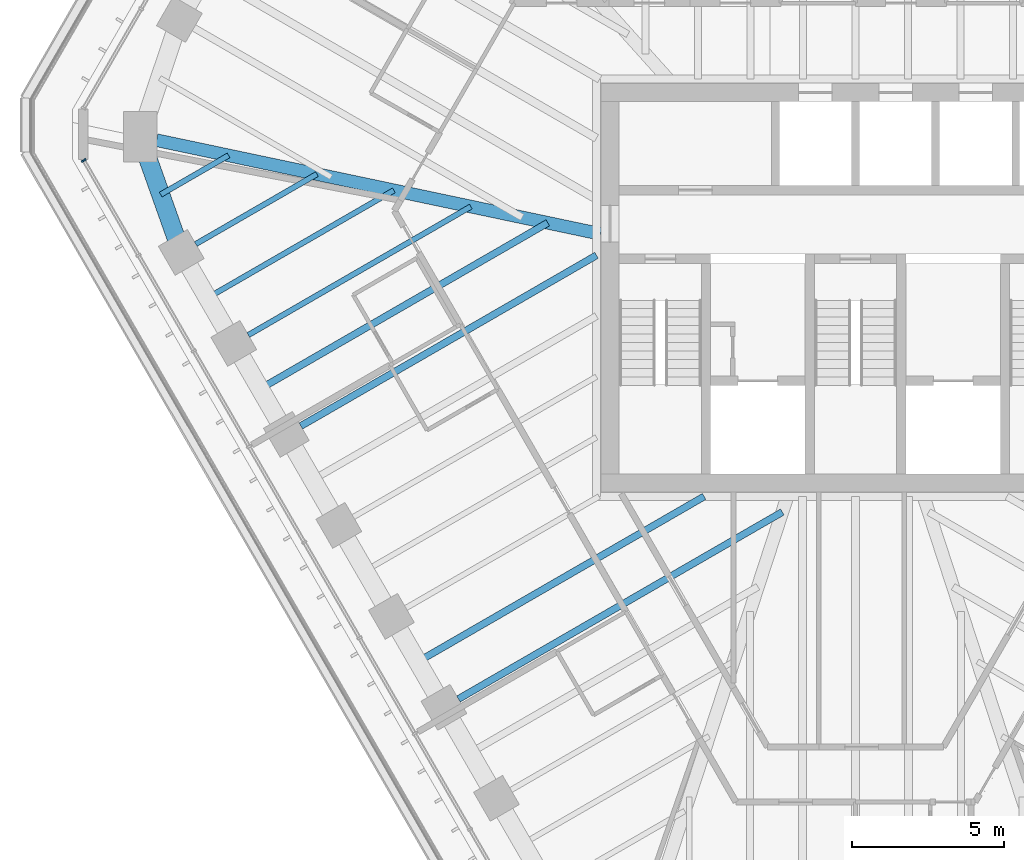
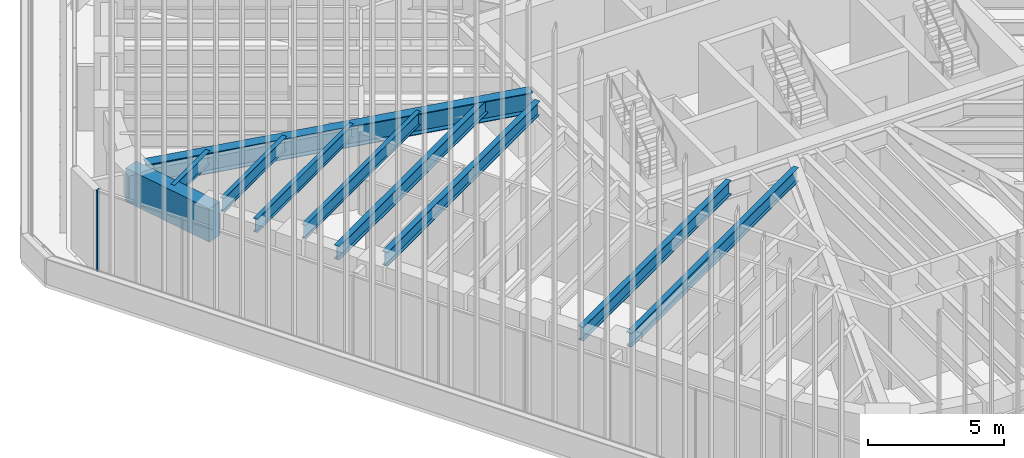
# One storey, part 28 of 127: 10 beams, 1 member, 1 element without a shape of its own.
"""IFC4 building model written with IfcOpenShell, lengths in metres."""

from ifc_helpers import new_model, si_unit, direction, frame, origin, origin_2d, place, context, subcontext, project, spatial, rectangle, i_section, extrude, material, material_profile, profile_set, type_object, element, aggregate, save


model = new_model("IFC4")

# Units and contexts
model_context = context("Model", 3, precision=1e-05, world=origin(), true_north=direction((0.0, 1.0)))
body_context = subcontext(model_context, "Body", "Model", "MODEL_VIEW")
ifc_project = project(units=[si_unit("LENGTHUNIT", "METRE"), si_unit("AREAUNIT", "SQUARE_METRE"), si_unit("VOLUMEUNIT", "CUBIC_METRE"), si_unit("PLANEANGLEUNIT", "RADIAN"), si_unit("MASSUNIT", "GRAM", prefix="KILO")], contexts=[model_context])

# Site, building, storey
site_placement = place(None, origin())
site = spatial("IfcSite", under=ifc_project, at=site_placement, CompositionType="ELEMENT")
building_placement = place(site_placement, origin())
building = spatial("IfcBuilding", under=site, at=building_placement, Name="Sandreach Pilgrim Tower", CompositionType="ELEMENT")
storey_placement = place(building_placement, frame((0.0, 0.0, 257.0)))
storey = spatial("IfcBuildingStorey", under=building, at=storey_placement, Name="L64", CompositionType="ELEMENT", Elevation=257.0)

# Curtain wall, member
ifc_material_1 = material(Name="Aluminium framed curtain wall", Category="aluminium")
curtain_wall_type = type_object("IfcCurtainWallType", Name="Suite tower curtain wall", PredefinedType="NOTDEFINED", material=ifc_material_1)
curtain_wall_placement = place(storey_placement, origin())
curtain_wall = element("IfcCurtainWall", 1, at=curtain_wall_placement, inside=storey, type_object=curtain_wall_type, Name="CW-4 L64 SW", PredefinedType="NOTDEFINED")
ifc_material_2 = material(Name="Aluminium extrusion", Category="aluminium")
ifc_material_profile_1 = material_profile(ifc_material_2, rectangle(XDim=0.06005859375, YDim=0.159912109375, at=origin_2d()), Name="CW-4M 60X160")
ifc_profile_set_1 = profile_set([ifc_material_profile_1], Name="Aluminium extrusion")
member_type = type_object("IfcMemberType", Name="CW-4 mullion", PredefinedType="MULLION", material=ifc_profile_set_1)
member_placement = place(storey_placement, frame((-25.304443359375, 4.175537109375, 0.0), z_axis=(0.0, 0.0, 1.0), x_axis=(-0.5, 0.866025403784, 0.0)))
member = element("IfcMember", 2, at=member_placement, type_object=member_type, Name="CW-4 mullion 10", PredefinedType="MULLION", context=body_context, shape_type="SweptSolid", body=[
    extrude(rectangle(XDim=0.06005859375, YDim=0.159912109375, at=origin_2d()), origin(), (0.0, 0.0, 1.0), 3.639892578125),
])
aggregate(curtain_wall, [member])

# Beams
ifc_material_3 = material(Name="Steel ASTM A992 Grade 50", Category="steel")
ifc_material_profile_2 = material_profile(ifc_material_3, i_section(OverallWidth=0.419189453125, OverallDepth=0.927001953125, WebThickness=0.019287109375, FlangeThickness=0.031982421875, at=origin_2d()), Name="W36X231")
ifc_profile_set_2 = profile_set([ifc_material_profile_2], Name="Steel ASTM A992 Grade 50")
beam_type_1 = type_object("IfcBeamType", Name="Corner girder W36X231", PredefinedType="BEAM", material=ifc_profile_set_2)
beam_1_placement = place(storey_placement, frame((-22.917724609375, 4.838623046875, 3.176513671875), z_axis=(0.978430270369, -0.206577360876, 0.0), x_axis=(0.206577360876, 0.978430270369, 0.0)))
element("IfcBeam", 3, at=beam_1_placement, inside=storey, type_object=beam_type_1, Name="BM L64 CG35", PredefinedType="BEAM", context=body_context, shape_type="SweptSolid", body=[
    extrude(i_section(OverallWidth=0.419189453125, OverallDepth=0.927001953125, WebThickness=0.019287109375, FlangeThickness=0.031982421875, at=origin_2d()), origin(), (0.0, 0.0, 1.0), 14.888671875),
])
ifc_material_4 = material(Name="Steel ASTM A992 Grade 50", Category="steel")
ifc_material_profile_3 = material_profile(ifc_material_4, i_section(OverallWidth=0.1787109375, OverallDepth=0.60205078125, WebThickness=0.010986328125, FlangeThickness=0.014892578125, at=origin_2d()), Name="W24X62")
ifc_profile_set_3 = profile_set([ifc_material_profile_3], Name="Steel ASTM A992 Grade 50")
beam_type_2 = type_object("IfcBeamType", Name="Floor beam W24X62", PredefinedType="BEAM", material=ifc_profile_set_3)
beam_2_placement = place(storey_placement, frame((-19.908935546875, -1.549560546875, 3.339111328125), z_axis=(0.866026819143, 0.499997548519, 0.0), x_axis=(-0.499997548519, 0.866026819143, 0.0)))
element("IfcBeam", 4, at=beam_2_placement, inside=storey, type_object=beam_type_2, Name="BM L64 F33", PredefinedType="BEAM", context=body_context, shape_type="SweptSolid", body=[
    extrude(i_section(OverallWidth=0.1787109375, OverallDepth=0.60205078125, WebThickness=0.010986328125, FlangeThickness=0.014892578125, at=origin_2d()), origin(), (0.0, 0.0, 1.0), 8.4248046875),
])
beam_3_placement = place(storey_placement, frame((-21.631591796875, 1.433837890625, 3.339111328125), z_axis=(0.866037621819, 0.499978837146, 0.0), x_axis=(-0.499978837146, 0.866037621819, 0.0)))
element("IfcBeam", 5, at=beam_3_placement, inside=storey, type_object=beam_type_2, Name="BM L64 F34", PredefinedType="BEAM", context=body_context, shape_type="SweptSolid", body=[
    extrude(i_section(OverallWidth=0.1787109375, OverallDepth=0.60205078125, WebThickness=0.010986328125, FlangeThickness=0.014892578125, at=origin_2d()), origin(), (0.0, 0.0, 1.0), 4.588623046875),
])
beam_4_placement = place(storey_placement, frame((-21.24658203125, -0.332763671875, 3.339111328125), z_axis=(0.866028878405, 0.499993981732, 0.0), x_axis=(-0.499993981732, 0.866028878405, 0.0)))
element("IfcBeam", 6, at=beam_4_placement, inside=storey, type_object=beam_type_2, Name="BM L64 FM33", PredefinedType="BEAM", context=body_context, shape_type="SweptSolid", body=[
    extrude(i_section(OverallWidth=0.1787109375, OverallDepth=0.60205078125, WebThickness=0.010986328125, FlangeThickness=0.014892578125, at=origin_2d()), origin(), (0.0, 0.0, 1.0), 7.056640625),
])
beam_5_placement = place(storey_placement, frame((-22.78173828125, 3.0556640625, 3.339111328125), z_axis=(0.8660004255, 0.500043261163, 0.0), x_axis=(-0.500043261163, 0.8660004255, 0.0)))
element("IfcBeam", 7, at=beam_5_placement, inside=storey, type_object=beam_type_2, Name="BM L64 FM34", PredefinedType="BEAM", context=body_context, shape_type="SweptSolid", body=[
    extrude(i_section(OverallWidth=0.1787109375, OverallDepth=0.60205078125, WebThickness=0.010986328125, FlangeThickness=0.014892578125, at=origin_2d()), origin(), (0.0, 0.0, 1.0), 2.569091796875),
])
ifc_material_5 = material(Name="Steel ASTM A992 Grade 50", Category="steel")
ifc_material_profile_4 = material_profile(ifc_material_5, i_section(OverallWidth=0.23046875, OverallDepth=0.6171875, WebThickness=0.01318359375, FlangeThickness=0.022216796875, at=origin_2d()), Name="W24X94")
ifc_profile_set_4 = profile_set([ifc_material_profile_4], Name="Steel ASTM A992 Grade 50")
beam_type_3 = type_object("IfcBeamType", Name="Floor beam W24X94", PredefinedType="BEAM", material=ifc_profile_set_4)
beam_6_placement = place(storey_placement, frame((-13.018798828125, -13.4833984375, 3.331298828125), z_axis=(0.866019132277, 0.500010862412, 0.0), x_axis=(-0.500010862412, 0.866019132277, 0.0)))
element("IfcBeam", 8, at=beam_6_placement, inside=storey, type_object=beam_type_3, Name="BM L64 F29", PredefinedType="BEAM", context=body_context, shape_type="SweptSolid", body=[
    extrude(i_section(OverallWidth=0.23046875, OverallDepth=0.6171875, WebThickness=0.01318359375, FlangeThickness=0.022216796875, at=origin_2d()), origin(), (0.0, 0.0, 1.0), 12.261474609375),
])
beam_7_placement = place(storey_placement, frame((-18.1865234375, -4.532958984375, 3.331298828125), z_axis=(0.866030482771, 0.499991202833, 0.0), x_axis=(-0.499991202833, 0.866030482771, 0.0)))
element("IfcBeam", 9, at=beam_7_placement, inside=storey, type_object=beam_type_3, Name="BM L64 F32", PredefinedType="BEAM", context=body_context, shape_type="SweptSolid", body=[
    extrude(i_section(OverallWidth=0.23046875, OverallDepth=0.6171875, WebThickness=0.01318359375, FlangeThickness=0.022216796875, at=origin_2d()), origin(), (0.0, 0.0, 1.0), 11.192626953125),
])
beam_8_placement = place(storey_placement, frame((-14.3564453125, -12.2666015625, 3.331298828125), z_axis=(0.866026660645, 0.499997823047, 0.0), x_axis=(-0.499997823047, 0.866026660645, 0.0)))
element("IfcBeam", 10, at=beam_8_placement, inside=storey, type_object=beam_type_3, Name="BM L64 FM29", PredefinedType="BEAM", context=body_context, shape_type="SweptSolid", body=[
    extrude(i_section(OverallWidth=0.23046875, OverallDepth=0.6171875, WebThickness=0.01318359375, FlangeThickness=0.022216796875, at=origin_2d()), origin(), (0.0, 0.0, 1.0), 10.8466796875),
])
beam_9_placement = place(storey_placement, frame((-19.52392578125, -3.316162109375, 3.331298828125), z_axis=(0.866029205616, 0.499993414976, 0.0), x_axis=(-0.499993414976, 0.866029205616, 0.0)))
element("IfcBeam", 11, at=beam_9_placement, inside=storey, type_object=beam_type_3, Name="BM L64 FM32", PredefinedType="BEAM", context=body_context, shape_type="SweptSolid", body=[
    extrude(i_section(OverallWidth=0.23046875, OverallDepth=0.6171875, WebThickness=0.01318359375, FlangeThickness=0.022216796875, at=origin_2d()), origin(), (0.0, 0.0, 1.0), 10.893310546875),
])
ifc_material_6 = material(Name="Concrete 10000 psi", Category="concrete")
ifc_material_profile_5 = material_profile(ifc_material_6, rectangle(XDim=0.60009765625, YDim=1.5, at=origin_2d()), Name="RC600X1500")
ifc_profile_set_5 = profile_set([ifc_material_profile_5], Name="Concrete 10000 psi")
beam_type_4 = type_object("IfcBeamType", Name="Spandrel beam RC600X1500", PredefinedType="SPANDREL", material=ifc_profile_set_5)
beam_10_placement = place(storey_placement, frame((-22.10791015625, 1.158935546875, 2.889892578125), z_axis=(-0.33481464839, 0.94228400773, 0.0), x_axis=(-0.94228400773, -0.33481464839, 0.0)))
element("IfcBeam", 12, at=beam_10_placement, inside=storey, type_object=beam_type_4, Name="BM L64 SP34", PredefinedType="SPANDREL", context=body_context, shape_type="SweptSolid", body=[
    extrude(rectangle(XDim=0.60009765625, YDim=1.5, at=origin_2d()), origin(), (0.0, 0.0, 1.0), 4.02587890625),
])

save(model, "model.ifc")
